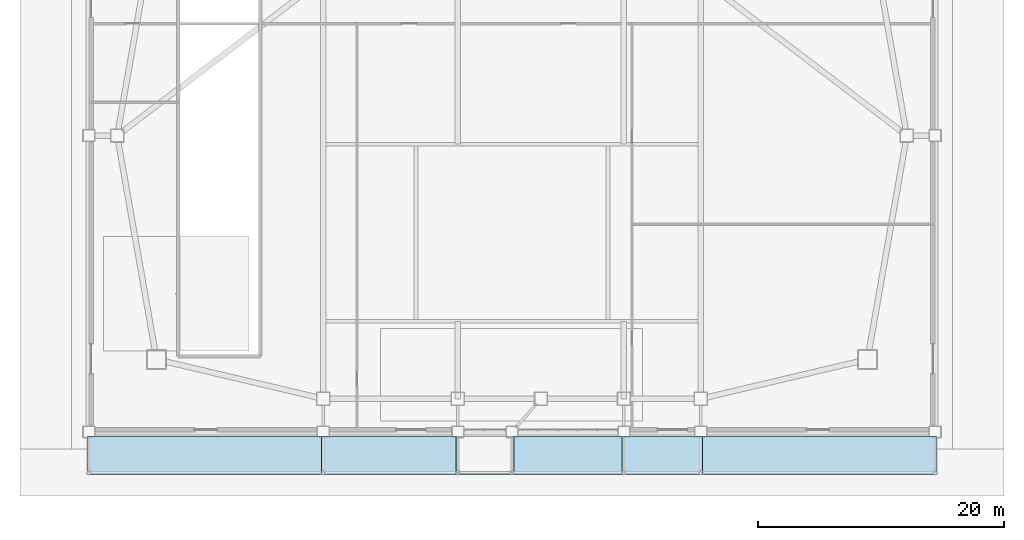
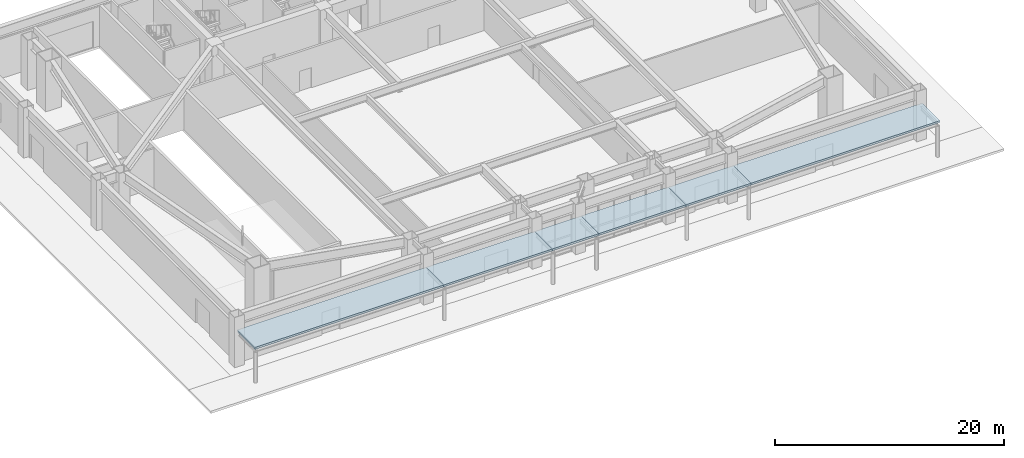
# One storey, part 13 of 18: 6 roofs.
"""IFC4 building model written with IfcOpenShell, lengths in metres."""

from ifc_helpers import new_model, si_unit, direction, frame, origin, place, context, subcontext, project, spatial, polyline, outline, extrude, material, layer, layer_set, type_object, element, save


model = new_model("IFC4")

# Units and contexts
model_context = context("Model", 3, precision=1e-05, world=origin(), true_north=direction((0.0, 1.0)))
body_context = subcontext(model_context, "Body", "Model", "MODEL_VIEW")
ifc_project = project(units=[si_unit("LENGTHUNIT", "METRE"), si_unit("AREAUNIT", "SQUARE_METRE"), si_unit("VOLUMEUNIT", "CUBIC_METRE"), si_unit("PLANEANGLEUNIT", "RADIAN"), si_unit("MASSUNIT", "GRAM", prefix="KILO")], contexts=[model_context])

# Site, building, storey
site_placement = place(None, origin())
site = spatial("IfcSite", under=ifc_project, at=site_placement, CompositionType="ELEMENT")
building_placement = place(site_placement, origin())
building = spatial("IfcBuilding", under=site, at=building_placement, Name="Giltprow Tower", CompositionType="ELEMENT")
storey_placement = place(building_placement, origin())
storey = spatial("IfcBuildingStorey", under=building, at=storey_placement, Name="L01", CompositionType="ELEMENT", Elevation=0.0)

# Roofs
ifc_material = material(Name="Anodized bronze", Category="metal")
ifc_layer = layer(ifc_material, 0.219970703125, Name="Anodized bronze")
ifc_layer_set = layer_set([ifc_layer], Name="Anodized bronze")
roof_type = type_object("IfcRoofType", Name="ROOF-CANOPY-DECK", PredefinedType="FLAT_ROOF", material=ifc_layer_set)
roof_1_placement = place(storey_placement, frame((0.0, 0.0, 3.6201171875)))
element("IfcRoof", 1, at=roof_1_placement, inside=storey, type_object=roof_type, Name="Waterfront Entrance Canopy 1", PredefinedType="FLAT_ROOF", context=body_context, shape_type="SweptSolid", body=[
    extrude(outline(polyline([(0.64990234375, -2.85009765625), (20.0, -2.85009765625), (20.0, 0.25), (0.64990234375, 0.25), (0.64990234375, -2.85009765625)])), origin(), (0.0, 0.0, 1.0), 0.219970703125),
])
roof_2_placement = place(storey_placement, frame((0.0, 0.0, 3.6201171875)))
element("IfcRoof", 2, at=roof_2_placement, inside=storey, type_object=roof_type, Name="Waterfront Entrance Canopy 2", PredefinedType="FLAT_ROOF", context=body_context, shape_type="SweptSolid", body=[
    extrude(outline(polyline([(19.699951171875, -2.85009765625), (30.949951171875, -2.85009765625), (30.949951171875, 0.25), (19.699951171875, 0.25), (19.699951171875, -2.85009765625)])), origin(), (0.0, 0.0, 1.0), 0.219970703125),
])
roof_3_placement = place(storey_placement, frame((0.0, 0.0, 3.6201171875)))
element("IfcRoof", 3, at=roof_3_placement, inside=storey, type_object=roof_type, Name="Waterfront Entrance Canopy 3", PredefinedType="FLAT_ROOF", context=body_context, shape_type="SweptSolid", body=[
    extrude(outline(polyline([(30.64990234375, -2.85009765625), (35.35009765625, -2.85009765625), (35.35009765625, 0.25), (30.64990234375, 0.25), (30.64990234375, -2.85009765625)])), origin(), (0.0, 0.0, 1.0), 0.219970703125),
])
roof_4_placement = place(storey_placement, frame((0.0, 0.0, 3.6201171875)))
element("IfcRoof", 4, at=roof_4_placement, inside=storey, type_object=roof_type, Name="Waterfront Entrance Canopy 4", PredefinedType="FLAT_ROOF", context=body_context, shape_type="SweptSolid", body=[
    extrude(outline(polyline([(35.050048828125, -2.85009765625), (44.449951171875, -2.85009765625), (44.449951171875, 0.25), (35.050048828125, 0.25), (35.050048828125, -2.85009765625)])), origin(), (0.0, 0.0, 1.0), 0.219970703125),
])
roof_5_placement = place(storey_placement, frame((0.0, 0.0, 3.6201171875)))
element("IfcRoof", 5, at=roof_5_placement, inside=storey, type_object=roof_type, Name="Waterfront Entrance Canopy 5", PredefinedType="FLAT_ROOF", context=body_context, shape_type="SweptSolid", body=[
    extrude(outline(polyline([(44.14990234375, -2.85009765625), (50.699951171875, -2.85009765625), (50.699951171875, 0.25), (44.14990234375, 0.25), (44.14990234375, -2.85009765625)])), origin(), (0.0, 0.0, 1.0), 0.219970703125),
])
roof_6_placement = place(storey_placement, frame((0.0, 0.0, 3.6201171875)))
element("IfcRoof", 6, at=roof_6_placement, inside=storey, type_object=roof_type, Name="Waterfront Entrance Canopy 6", PredefinedType="FLAT_ROOF", context=body_context, shape_type="SweptSolid", body=[
    extrude(outline(polyline([(50.39990234375, -2.85009765625), (69.75, -2.85009765625), (69.75, 0.25), (50.39990234375, 0.25), (50.39990234375, -2.85009765625)])), origin(), (0.0, 0.0, 1.0), 0.219970703125),
])

save(model, "model.ifc")
